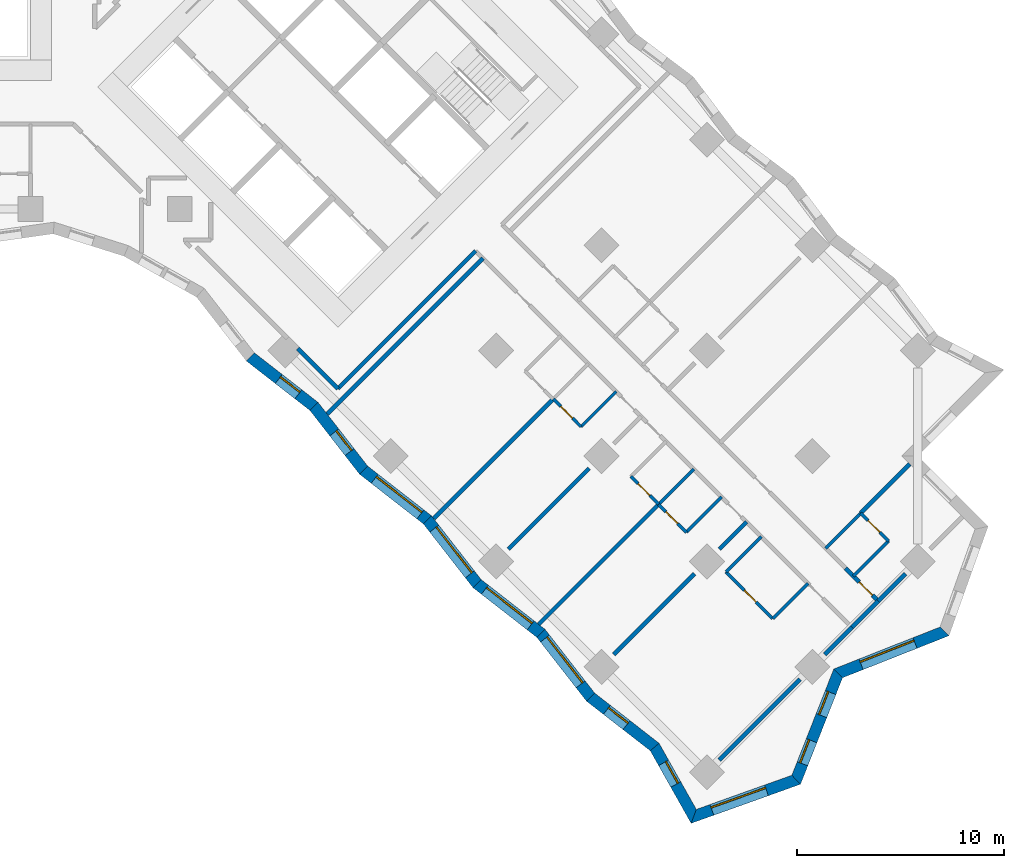
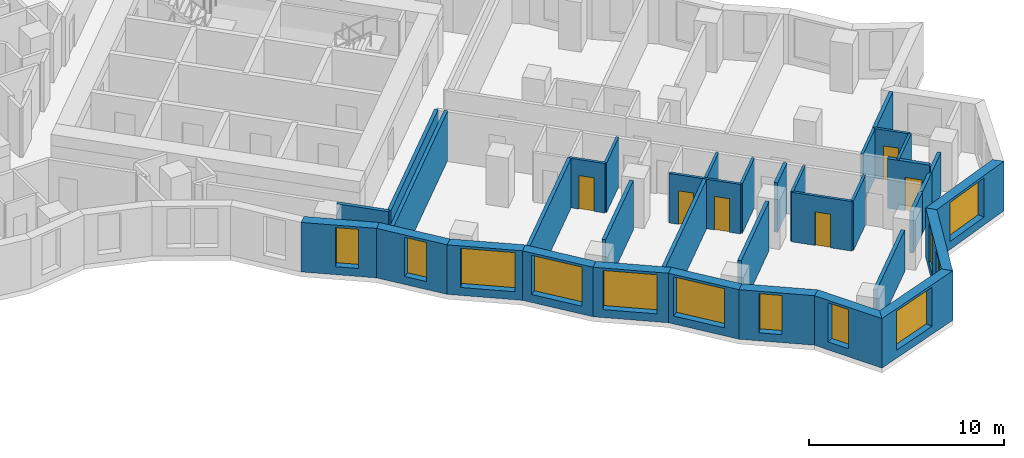
# One storey, part 7 of 12: 37 walls, 12 windows, 6 doors, 18 openings.
"""IFC4 building model written with IfcOpenShell, lengths in metres."""

from ifc_helpers import new_model, si_unit, direction, frame, frame_2d, origin, place, context, subcontext, project, spatial, polyline, rectangle, outline, extrude, material, layer, layer_set, type_object, element, fill, save


model = new_model("IFC4")

# Units and contexts
model_context = context("Model", 3, precision=1e-05, world=origin(), true_north=direction((0.0, 1.0)))
body_context = subcontext(model_context, "Body", "Model", "MODEL_VIEW")
ifc_project = project(units=[si_unit("LENGTHUNIT", "METRE"), si_unit("AREAUNIT", "SQUARE_METRE"), si_unit("VOLUMEUNIT", "CUBIC_METRE"), si_unit("PLANEANGLEUNIT", "RADIAN"), si_unit("MASSUNIT", "GRAM", prefix="KILO")], contexts=[model_context])

# Site, building, storey
site_placement = place(None, origin())
site = spatial("IfcSite", under=ifc_project, at=site_placement, CompositionType="ELEMENT")
building_placement = place(site_placement, origin())
building = spatial("IfcBuilding", under=site, at=building_placement, Name="Windrow Commons", CompositionType="ELEMENT")
storey_placement = place(building_placement, frame((0.0, 0.0, 47.4)))
storey = spatial("IfcBuildingStorey", under=building, at=storey_placement, Name="L12", CompositionType="ELEMENT", Elevation=47.4)

# Wall, opening, window
ifc_material_1 = material(Name="Brick masonry, red clay brick", Category="masonry")
ifc_layer_1 = layer(ifc_material_1, 0.55)
ifc_layer_set_1 = layer_set([ifc_layer_1], Name="Brick facade wall 550")
wall_type_1 = type_object("IfcWallType", Name="Brick facade wall 550", PredefinedType="SOLIDWALL", material=ifc_layer_set_1)
wall_1_placement = place(storey_placement, frame((104.0165, 13.872, 0.0), z_axis=(0.0, 0.0, 1.0), x_axis=(0.9416441087, 0.3366101194, 0.0)))
wall_1 = element("IfcWall", 1, at=wall_1_placement, inside=storey, type_object=wall_type_1, Name="Brick facade wall L12 1", PredefinedType="SOLIDWALL", context=body_context, shape_type="SweptSolid", body=[
    extrude(outline(polyline([(-0.2319, -0.275), (5.3779, -0.275), (5.1285, 0.275), (0.2319, 0.275), (-0.2319, -0.275)])), origin(), (0.0, 0.0, 1.0), 3.1),
])
opening_1_placement = place(wall_1_placement, frame((0.9311, 0.0, 0.5)))
opening_1 = element("IfcOpeningElement", 2, at=opening_1_placement, cuts=wall_1, Name="Opening W1T", PredefinedType="OPENING", context=body_context, shape_type="SweptSolid", body=[
    extrude(rectangle(XDim=2.8, YDim=2.45, at=frame_2d((1.4, 1.225))), frame((0.0, 0.285, 0.0), z_axis=(0.0, -1.0, 0.0), x_axis=(1.0, 0.0, 0.0)), (0.0, 0.0, 1.0), 0.57),
])
ifc_material_2 = material(Name="Clear float glass in anodised aluminium frame", Category="aluminium")
window_type_1 = type_object("IfcWindowType", Name="Window W1T bedroom 2800x2450", PartitioningType="SINGLE_PANEL", PredefinedType="WINDOW", material=ifc_material_2)
window_1_placement = place(opening_1_placement, origin())
window_1 = element("IfcWindow", 3, at=window_1_placement, inside=storey, type_object=window_type_1, Name="Window L12 1.1", OverallHeight=2.45, OverallWidth=2.8, PartitioningType="SINGLE_PANEL", PredefinedType="WINDOW", context=body_context, shape_type="SweptSolid", body=[
    extrude(rectangle(XDim=2.8, YDim=2.45, at=frame_2d((1.4, 1.225))), frame((0.0, 0.155, 0.0), z_axis=(0.0, -1.0, 0.0), x_axis=(1.0, 0.0, 0.0)), (0.0, 0.0, 1.0), 0.06),
])
fill(opening_1, window_1)

# Wall, openings, windows
wall_2_placement = place(storey_placement, frame((108.9632, 15.6403, 0.0), z_axis=(0.0, 0.0, 1.0), x_axis=(0.3672341559, 0.9301285259, 0.0)))
wall_2 = element("IfcWall", 4, at=wall_2_placement, inside=storey, type_object=wall_type_1, Name="Brick facade wall L12 2", PredefinedType="SOLIDWALL", context=body_context, shape_type="SweptSolid", body=[
    extrude(outline(polyline([(-0.1247, -0.275), (5.4025, -0.275), (5.6411, 0.275), (0.1247, 0.275), (-0.1247, -0.275)])), origin(), (0.0, 0.0, 1.0), 3.1),
])
opening_2_placement = place(wall_2_placement, frame((0.8308, 0.0, 0.5)))
opening_2 = element("IfcOpeningElement", 5, at=opening_2_placement, cuts=wall_2, Name="Opening W7D", PredefinedType="OPENING", context=body_context, shape_type="SweptSolid", body=[
    extrude(rectangle(XDim=1.2, YDim=2.45, at=frame_2d((0.6, 1.225))), frame((0.0, 0.285, 0.0), z_axis=(0.0, -1.0, 0.0), x_axis=(1.0, 0.0, 0.0)), (0.0, 0.0, 1.0), 0.57),
])
opening_3_placement = place(wall_2_placement, frame((3.3294, 0.0, 0.5)))
opening_3 = element("IfcOpeningElement", 6, at=opening_3_placement, cuts=wall_2, Name="Opening W7D", PredefinedType="OPENING", context=body_context, shape_type="SweptSolid", body=[
    extrude(rectangle(XDim=1.2, YDim=2.45, at=frame_2d((0.6, 1.225))), frame((0.0, 0.285, 0.0), z_axis=(0.0, -1.0, 0.0), x_axis=(1.0, 0.0, 0.0)), (0.0, 0.0, 1.0), 0.57),
])
ifc_material_3 = material(Name="Clear float glass in anodised aluminium frame", Category="aluminium")
window_type_2 = type_object("IfcWindowType", Name="Window W7 notch 1200x2450", PartitioningType="SINGLE_PANEL", PredefinedType="WINDOW", material=ifc_material_3)
window_2_placement = place(opening_2_placement, origin())
window_2 = element("IfcWindow", 7, at=window_2_placement, inside=storey, type_object=window_type_2, Name="Window L12 2.1", OverallHeight=2.45, OverallWidth=1.2, PartitioningType="SINGLE_PANEL", PredefinedType="WINDOW", context=body_context, shape_type="SweptSolid", body=[
    extrude(rectangle(XDim=1.2, YDim=2.45, at=frame_2d((0.6, 1.225))), frame((0.0, 0.155, 0.0), z_axis=(0.0, -1.0, 0.0), x_axis=(1.0, 0.0, 0.0)), (0.0, 0.0, 1.0), 0.06),
])
fill(opening_2, window_2)
window_3_placement = place(opening_3_placement, origin())
window_3 = element("IfcWindow", 8, at=window_3_placement, inside=storey, type_object=window_type_2, Name="Window L12 2.2", OverallHeight=2.45, OverallWidth=1.2, PartitioningType="SINGLE_PANEL", PredefinedType="WINDOW", context=body_context, shape_type="SweptSolid", body=[
    extrude(rectangle(XDim=1.2, YDim=2.45, at=frame_2d((0.6, 1.225))), frame((0.0, 0.155, 0.0), z_axis=(0.0, -1.0, 0.0), x_axis=(1.0, 0.0, 0.0)), (0.0, 0.0, 1.0), 0.06),
])
fill(opening_3, window_3)

# Wall, opening, window
wall_3_placement = place(storey_placement, frame((110.991, 20.7763, 0.0), z_axis=(0.0, 0.0, 1.0), x_axis=(0.9301285259, 0.3672341559, 0.0)))
wall_3 = element("IfcWall", 9, at=wall_3_placement, inside=storey, type_object=wall_type_1, Name="Brick facade wall L12 3", PredefinedType="SOLIDWALL", context=body_context, shape_type="SweptSolid", body=[
    extrude(outline(polyline([(0.1193, -0.275), (5.6465, -0.275), (5.3971, 0.275), (-0.1193, 0.275), (0.1193, -0.275)])), origin(), (0.0, 0.0, 1.0), 3.1),
])
opening_4_placement = place(wall_3_placement, frame((1.19, 0.0, 0.5)))
opening_4 = element("IfcOpeningElement", 10, at=opening_4_placement, cuts=wall_3, Name="Opening W1T", PredefinedType="OPENING", context=body_context, shape_type="SweptSolid", body=[
    extrude(rectangle(XDim=2.8, YDim=2.45, at=frame_2d((1.4, 1.225))), frame((0.0, 0.285, 0.0), z_axis=(0.0, -1.0, 0.0), x_axis=(1.0, 0.0, 0.0)), (0.0, 0.0, 1.0), 0.57),
])
window_4_placement = place(opening_4_placement, origin())
window_4 = element("IfcWindow", 11, at=window_4_placement, inside=storey, type_object=window_type_1, Name="Window L12 3.1", OverallHeight=2.45, OverallWidth=2.8, PartitioningType="SINGLE_PANEL", PredefinedType="WINDOW", context=body_context, shape_type="SweptSolid", body=[
    extrude(rectangle(XDim=2.8, YDim=2.45, at=frame_2d((1.4, 1.225))), frame((0.0, 0.155, 0.0), z_axis=(0.0, -1.0, 0.0), x_axis=(1.0, 0.0, 0.0)), (0.0, 0.0, 1.0), 0.06),
])
fill(opening_4, window_4)

wall_4_placement = place(storey_placement, frame((82.6045, 36.0616, 0.0), z_axis=(0.0, 0.0, 1.0), x_axis=(0.7890333801, -0.6143503276, 0.0)))
wall_4 = element("IfcWall", 12, at=wall_4_placement, inside=storey, type_object=wall_type_1, Name="Brick facade wall L12 56", PredefinedType="SOLIDWALL", context=body_context, shape_type="SweptSolid", body=[
    extrude(outline(polyline([(-0.0342, -0.275), (3.8682, -0.275), (3.9366, 0.275), (0.0342, 0.275), (-0.0342, -0.275)])), origin(), (0.0, 0.0, 1.0), 3.1),
])
opening_5_placement = place(wall_4_placement, frame((1.7452, 0.0, 0.5)))
opening_5 = element("IfcOpeningElement", 13, at=opening_5_placement, cuts=wall_4, Name="Opening W7D", PredefinedType="OPENING", context=body_context, shape_type="SweptSolid", body=[
    extrude(rectangle(XDim=1.2, YDim=2.45, at=frame_2d((0.6, 1.225))), frame((0.0, 0.285, 0.0), z_axis=(0.0, -1.0, 0.0), x_axis=(1.0, 0.0, 0.0)), (0.0, 0.0, 1.0), 0.57),
])
window_5_placement = place(opening_5_placement, origin())
window_5 = element("IfcWindow", 14, at=window_5_placement, inside=storey, type_object=window_type_2, Name="Window L12 56.1", OverallHeight=2.45, OverallWidth=1.2, PartitioningType="SINGLE_PANEL", PredefinedType="WINDOW", context=body_context, shape_type="SweptSolid", body=[
    extrude(rectangle(XDim=1.2, YDim=2.45, at=frame_2d((0.6, 1.225))), frame((0.0, 0.155, 0.0), z_axis=(0.0, -1.0, 0.0), x_axis=(1.0, 0.0, 0.0)), (0.0, 0.0, 1.0), 0.06),
])
fill(opening_5, window_5)

wall_5_placement = place(storey_placement, frame((85.6837, 33.6641, 0.0), z_axis=(0.0, 0.0, 1.0), x_axis=(0.6143467956, -0.7890361302, 0.0)))
wall_5 = element("IfcWall", 15, at=wall_5_placement, inside=storey, type_object=wall_type_1, Name="Brick facade wall L12 57", PredefinedType="SOLIDWALL", context=body_context, shape_type="SweptSolid", body=[
    extrude(outline(polyline([(0.0342, -0.275), (3.9366, -0.275), (3.8682, 0.275), (-0.0342, 0.275), (0.0342, -0.275)])), origin(), (0.0, 0.0, 1.0), 3.1),
])
opening_6_placement = place(wall_5_placement, frame((1.5907, 0.0, 0.5)))
opening_6 = element("IfcOpeningElement", 16, at=opening_6_placement, cuts=wall_5, Name="Opening W7D", PredefinedType="OPENING", context=body_context, shape_type="SweptSolid", body=[
    extrude(rectangle(XDim=1.2, YDim=2.45, at=frame_2d((0.6, 1.225))), frame((0.0, 0.285, 0.0), z_axis=(0.0, -1.0, 0.0), x_axis=(1.0, 0.0, 0.0)), (0.0, 0.0, 1.0), 0.57),
])
window_6_placement = place(opening_6_placement, origin())
window_6 = element("IfcWindow", 17, at=window_6_placement, inside=storey, type_object=window_type_2, Name="Window L12 57.1", OverallHeight=2.45, OverallWidth=1.2, PartitioningType="SINGLE_PANEL", PredefinedType="WINDOW", context=body_context, shape_type="SweptSolid", body=[
    extrude(rectangle(XDim=1.2, YDim=2.45, at=frame_2d((0.6, 1.225))), frame((0.0, 0.155, 0.0), z_axis=(0.0, -1.0, 0.0), x_axis=(1.0, 0.0, 0.0)), (0.0, 0.0, 1.0), 0.06),
])
fill(opening_6, window_6)

wall_6_placement = place(storey_placement, frame((88.0811, 30.585, 0.0), z_axis=(0.0, 0.0, 1.0), x_axis=(0.7890458015, -0.614334374, 0.0)))
wall_6 = element("IfcWall", 18, at=wall_6_placement, inside=storey, type_object=wall_type_1, Name="Brick facade wall L12 58", PredefinedType="SOLIDWALL", context=body_context, shape_type="SweptSolid", body=[
    extrude(outline(polyline([(-0.0342, -0.275), (3.8682, -0.275), (3.9366, 0.275), (0.0342, 0.275), (-0.0342, -0.275)])), origin(), (0.0, 0.0, 1.0), 3.1),
])
opening_7_placement = place(wall_6_placement, frame((0.6705, 0.0, 0.5)))
opening_7 = element("IfcOpeningElement", 19, at=opening_7_placement, cuts=wall_6, Name="Opening W1T", PredefinedType="OPENING", context=body_context, shape_type="SweptSolid", body=[
    extrude(rectangle(XDim=2.8, YDim=2.45, at=frame_2d((1.4, 1.225))), frame((0.0, 0.285, 0.0), z_axis=(0.0, -1.0, 0.0), x_axis=(1.0, 0.0, 0.0)), (0.0, 0.0, 1.0), 0.57),
])
window_7_placement = place(opening_7_placement, origin())
window_7 = element("IfcWindow", 20, at=window_7_placement, inside=storey, type_object=window_type_1, Name="Window L12 58.1", OverallHeight=2.45, OverallWidth=2.8, PartitioningType="SINGLE_PANEL", PredefinedType="WINDOW", context=body_context, shape_type="SweptSolid", body=[
    extrude(rectangle(XDim=2.8, YDim=2.45, at=frame_2d((1.4, 1.225))), frame((0.0, 0.155, 0.0), z_axis=(0.0, -1.0, 0.0), x_axis=(1.0, 0.0, 0.0)), (0.0, 0.0, 1.0), 0.06),
])
fill(opening_7, window_7)

wall_7_placement = place(storey_placement, frame((91.1603, 28.1876, 0.0), z_axis=(0.0, 0.0, 1.0), x_axis=(0.614334374, -0.7890458015, 0.0)))
wall_7 = element("IfcWall", 21, at=wall_7_placement, inside=storey, type_object=wall_type_1, Name="Brick facade wall L12 59", PredefinedType="SOLIDWALL", context=body_context, shape_type="SweptSolid", body=[
    extrude(outline(polyline([(0.0342, -0.275), (3.9366, -0.275), (3.8682, 0.275), (-0.0342, 0.275), (0.0342, -0.275)])), origin(), (0.0, 0.0, 1.0), 3.1),
])
opening_8_placement = place(wall_7_placement, frame((0.5341, 0.0, 0.5)))
opening_8 = element("IfcOpeningElement", 22, at=opening_8_placement, cuts=wall_7, Name="Opening W1T", PredefinedType="OPENING", context=body_context, shape_type="SweptSolid", body=[
    extrude(rectangle(XDim=2.8, YDim=2.45, at=frame_2d((1.4, 1.225))), frame((0.0, 0.285, 0.0), z_axis=(0.0, -1.0, 0.0), x_axis=(1.0, 0.0, 0.0)), (0.0, 0.0, 1.0), 0.57),
])
window_8_placement = place(opening_8_placement, origin())
window_8 = element("IfcWindow", 23, at=window_8_placement, inside=storey, type_object=window_type_1, Name="Window L12 59.1", OverallHeight=2.45, OverallWidth=2.8, PartitioningType="SINGLE_PANEL", PredefinedType="WINDOW", context=body_context, shape_type="SweptSolid", body=[
    extrude(rectangle(XDim=2.8, YDim=2.45, at=frame_2d((1.4, 1.225))), frame((0.0, 0.155, 0.0), z_axis=(0.0, -1.0, 0.0), x_axis=(1.0, 0.0, 0.0)), (0.0, 0.0, 1.0), 0.06),
])
fill(opening_8, window_8)

wall_8_placement = place(storey_placement, frame((93.5577, 25.1084, 0.0), z_axis=(0.0, 0.0, 1.0), x_axis=(0.7890458015, -0.614334374, 0.0)))
wall_8 = element("IfcWall", 24, at=wall_8_placement, inside=storey, type_object=wall_type_1, Name="Brick facade wall L12 60", PredefinedType="SOLIDWALL", context=body_context, shape_type="SweptSolid", body=[
    extrude(outline(polyline([(-0.0342, -0.275), (3.8682, -0.275), (3.9366, 0.275), (0.0342, 0.275), (-0.0342, -0.275)])), origin(), (0.0, 0.0, 1.0), 3.1),
])
opening_9_placement = place(wall_8_placement, frame((0.4757, 0.0, 0.5)))
opening_9 = element("IfcOpeningElement", 25, at=opening_9_placement, cuts=wall_8, Name="Opening W1T", PredefinedType="OPENING", context=body_context, shape_type="SweptSolid", body=[
    extrude(rectangle(XDim=2.8, YDim=2.45, at=frame_2d((1.4, 1.225))), frame((0.0, 0.285, 0.0), z_axis=(0.0, -1.0, 0.0), x_axis=(1.0, 0.0, 0.0)), (0.0, 0.0, 1.0), 0.57),
])
window_9_placement = place(opening_9_placement, origin())
window_9 = element("IfcWindow", 26, at=window_9_placement, inside=storey, type_object=window_type_1, Name="Window L12 60.1", OverallHeight=2.45, OverallWidth=2.8, PartitioningType="SINGLE_PANEL", PredefinedType="WINDOW", context=body_context, shape_type="SweptSolid", body=[
    extrude(rectangle(XDim=2.8, YDim=2.45, at=frame_2d((1.4, 1.225))), frame((0.0, 0.155, 0.0), z_axis=(0.0, -1.0, 0.0), x_axis=(1.0, 0.0, 0.0)), (0.0, 0.0, 1.0), 0.06),
])
fill(opening_9, window_9)

wall_9_placement = place(storey_placement, frame((96.6369, 22.711, 0.0), z_axis=(0.0, 0.0, 1.0), x_axis=(0.614334374, -0.7890458015, 0.0)))
wall_9 = element("IfcWall", 27, at=wall_9_placement, inside=storey, type_object=wall_type_1, Name="Brick facade wall L12 61", PredefinedType="SOLIDWALL", context=body_context, shape_type="SweptSolid", body=[
    extrude(outline(polyline([(0.0342, -0.275), (3.9366, -0.275), (3.8682, 0.275), (-0.0342, 0.275), (0.0342, -0.275)])), origin(), (0.0, 0.0, 1.0), 3.1),
])
opening_10_placement = place(wall_9_placement, frame((0.3212, 0.0, 0.5)))
opening_10 = element("IfcOpeningElement", 28, at=opening_10_placement, cuts=wall_9, Name="Opening W1T", PredefinedType="OPENING", context=body_context, shape_type="SweptSolid", body=[
    extrude(rectangle(XDim=2.8, YDim=2.45, at=frame_2d((1.4, 1.225))), frame((0.0, 0.285, 0.0), z_axis=(0.0, -1.0, 0.0), x_axis=(1.0, 0.0, 0.0)), (0.0, 0.0, 1.0), 0.57),
])
window_10_placement = place(opening_10_placement, origin())
window_10 = element("IfcWindow", 29, at=window_10_placement, inside=storey, type_object=window_type_1, Name="Window L12 61.1", OverallHeight=2.45, OverallWidth=2.8, PartitioningType="SINGLE_PANEL", PredefinedType="WINDOW", context=body_context, shape_type="SweptSolid", body=[
    extrude(rectangle(XDim=2.8, YDim=2.45, at=frame_2d((1.4, 1.225))), frame((0.0, 0.155, 0.0), z_axis=(0.0, -1.0, 0.0), x_axis=(1.0, 0.0, 0.0)), (0.0, 0.0, 1.0), 0.06),
])
fill(opening_10, window_10)

wall_10_placement = place(storey_placement, frame((99.0343, 19.6318, 0.0), z_axis=(0.0, 0.0, 1.0), x_axis=(0.7890391978, -0.6143428557, 0.0)))
wall_10 = element("IfcWall", 30, at=wall_10_placement, inside=storey, type_object=wall_type_1, Name="Brick facade wall L12 62", PredefinedType="SOLIDWALL", context=body_context, shape_type="SweptSolid", body=[
    extrude(outline(polyline([(-0.0342, -0.275), (3.8682, -0.275), (3.9786, 0.275), (0.0342, 0.275), (-0.0342, -0.275)])), origin(), (0.0, 0.0, 1.0), 3.1),
])
opening_11_placement = place(wall_10_placement, frame((1.001, 0.0, 0.5)))
opening_11 = element("IfcOpeningElement", 31, at=opening_11_placement, cuts=wall_10, Name="Opening W7D", PredefinedType="OPENING", context=body_context, shape_type="SweptSolid", body=[
    extrude(rectangle(XDim=1.2, YDim=2.45, at=frame_2d((0.6, 1.225))), frame((0.0, 0.285, 0.0), z_axis=(0.0, -1.0, 0.0), x_axis=(1.0, 0.0, 0.0)), (0.0, 0.0, 1.0), 0.57),
])
window_11_placement = place(opening_11_placement, origin())
window_11 = element("IfcWindow", 32, at=window_11_placement, inside=storey, type_object=window_type_2, Name="Window L12 62.1", OverallHeight=2.45, OverallWidth=1.2, PartitioningType="SINGLE_PANEL", PredefinedType="WINDOW", context=body_context, shape_type="SweptSolid", body=[
    extrude(rectangle(XDim=1.2, YDim=2.45, at=frame_2d((0.6, 1.225))), frame((0.0, 0.155, 0.0), z_axis=(0.0, -1.0, 0.0), x_axis=(1.0, 0.0, 0.0)), (0.0, 0.0, 1.0), 0.06),
])
fill(opening_11, window_11)

wall_11_placement = place(storey_placement, frame((102.13, 17.2215, 0.0), z_axis=(0.0, 0.0, 1.0), x_axis=(0.4907366579, -0.8713079436, 0.0)))
wall_11 = element("IfcWall", 33, at=wall_11_placement, inside=storey, type_object=wall_type_1, Name="Brick facade wall L12 63", PredefinedType="SOLIDWALL", context=body_context, shape_type="SweptSolid", body=[
    extrude(outline(polyline([(0.0552, -0.275), (4.0761, -0.275), (3.6123, 0.275), (-0.0552, 0.275), (0.0552, -0.275)])), origin(), (0.0, 0.0, 1.0), 3.1),
])
opening_12_placement = place(wall_11_placement, frame((0.8767, 0.0, 0.5)))
opening_12 = element("IfcOpeningElement", 34, at=opening_12_placement, cuts=wall_11, Name="Opening W7D", PredefinedType="OPENING", context=body_context, shape_type="SweptSolid", body=[
    extrude(rectangle(XDim=1.2, YDim=2.45, at=frame_2d((0.6, 1.225))), frame((0.0, 0.285, 0.0), z_axis=(0.0, -1.0, 0.0), x_axis=(1.0, 0.0, 0.0)), (0.0, 0.0, 1.0), 0.57),
])
window_12_placement = place(opening_12_placement, origin())
window_12 = element("IfcWindow", 35, at=window_12_placement, inside=storey, type_object=window_type_2, Name="Window L12 63.1", OverallHeight=2.45, OverallWidth=1.2, PartitioningType="SINGLE_PANEL", PredefinedType="WINDOW", context=body_context, shape_type="SweptSolid", body=[
    extrude(rectangle(XDim=1.2, YDim=2.45, at=frame_2d((0.6, 1.225))), frame((0.0, 0.155, 0.0), z_axis=(0.0, -1.0, 0.0), x_axis=(1.0, 0.0, 0.0)), (0.0, 0.0, 1.0), 0.06),
])
fill(opening_12, window_12)

# Walls
ifc_material_4 = material(Name="Blockwork partition", Category="masonry")
ifc_layer_2 = layer(ifc_material_4, 0.2)
ifc_layer_set_2 = layer_set([ifc_layer_2], Name="IW-CORRIDOR-200")
wall_type_2 = type_object("IfcWallType", Name="IW-CORRIDOR-200", PredefinedType="PARTITIONING", material=ifc_layer_set_2)
wall_12_placement = place(storey_placement, frame((86.8359, 34.5241, 0.0), z_axis=(0.0, 0.0, 1.0), x_axis=(0.7071067812, 0.7071067812, 0.0)))
element("IfcWall", 36, at=wall_12_placement, inside=storey, type_object=wall_type_2, Name="W-L12-W013", PredefinedType="PARTITIONING", context=body_context, shape_type="SweptSolid", body=[
    extrude(rectangle(XDim=9.3989, YDim=0.2, at=frame_2d((4.6994, 0.0))), origin(), (0.0, 0.0, 1.0), 3.1),
])
wall_13_placement = place(storey_placement, frame((84.8888, 36.4648, 0.0), z_axis=(0.0, 0.0, 1.0), x_axis=(0.7071067812, -0.7071067812, 0.0)))
element("IfcWall", 37, at=wall_13_placement, inside=storey, type_object=wall_type_2, Name="W-L12-W058", PredefinedType="PARTITIONING", context=body_context, shape_type="SweptSolid", body=[
    extrude(rectangle(XDim=2.7492, YDim=0.2, at=frame_2d((1.3746, 0.0))), origin(), (0.0, 0.0, 1.0), 3.1),
])

# Wall, opening, door
wall_14_placement = place(storey_placement, frame((112.9254, 24.2674, 0.0), z_axis=(0.0, 0.0, 1.0), x_axis=(-0.7068383786, 0.707375082, 0.0)))
wall_14 = element("IfcWall", 38, at=wall_14_placement, inside=storey, type_object=wall_type_2, Name="W-L12-W095", PredefinedType="PARTITIONING", context=body_context, shape_type="SweptSolid", body=[
    extrude(rectangle(XDim=2.2359, YDim=0.2, at=frame_2d((1.1179, 0.0))), origin(), (0.0, 0.0, 1.0), 3.1),
])
opening_13_placement = place(wall_14_placement, frame((0.3995, 0.0, 0.0)))
opening_13 = element("IfcOpeningElement", 39, at=opening_13_placement, cuts=wall_14, Name="Opening D109S", PredefinedType="OPENING", context=body_context, shape_type="SweptSolid", body=[
    extrude(rectangle(XDim=0.9, YDim=2.1, at=frame_2d((0.45, 1.05))), frame((0.0, 0.11, 0.0), z_axis=(0.0, -1.0, 0.0), x_axis=(1.0, 0.0, 0.0)), (0.0, 0.0, 1.0), 0.22),
])
ifc_material_5 = material(Name="Timber door leaf", Category="wood")
door_type_1 = type_object("IfcDoorType", Name="DT-BEDROOM-900", OperationType="SINGLE_SWING_LEFT", PredefinedType="DOOR", material=ifc_material_5)
door_1_placement = place(opening_13_placement, origin())
door_1 = element("IfcDoor", 40, at=door_1_placement, inside=storey, type_object=door_type_1, Name="D-L12-D048", OperationType="SINGLE_SWING_RIGHT", OverallHeight=2.1, OverallWidth=0.9, PredefinedType="DOOR", context=body_context, shape_type="SweptSolid", body=[
    extrude(rectangle(XDim=0.9, YDim=2.1, at=frame_2d((0.45, 1.05))), frame((0.0, 0.025, 0.0), z_axis=(0.0, -1.0, 0.0), x_axis=(1.0, 0.0, 0.0)), (0.0, 0.0, 1.0), 0.05),
])
fill(opening_13, door_1)

# Wall
wall_15_placement = place(storey_placement, frame((111.6555, 22.9985, 0.0), z_axis=(0.0, 0.0, 1.0), x_axis=(0.7071067812, 0.7071067812, 0.0)))
element("IfcWall", 41, at=wall_15_placement, inside=storey, type_object=wall_type_2, Name="W-L12-W130", PredefinedType="PARTITIONING", context=body_context, shape_type="SweptSolid", body=[
    extrude(rectangle(XDim=1.7989, YDim=0.2, at=frame_2d((0.8994, 0.0))), origin(), (0.0, 0.0, 1.0), 2.6),
])

# Wall, opening, door
ifc_material_6 = material(Name="Blockwork partition", Category="masonry")
ifc_layer_3 = layer(ifc_material_6, 0.15)
ifc_layer_set_3 = layer_set([ifc_layer_3], Name="IW-ENSUITE-150")
wall_type_3 = type_object("IfcWallType", Name="IW-ENSUITE-150", PredefinedType="PARTITIONING", material=ifc_layer_set_3)
wall_16_placement = place(storey_placement, frame((105.5726, 25.6806, 0.0), z_axis=(0.0, 0.0, 1.0), x_axis=(0.7071067812, -0.7071067812, 0.0)))
wall_16 = element("IfcWall", 42, at=wall_16_placement, inside=storey, type_object=wall_type_3, Name="W-L12-W054", PredefinedType="PARTITIONING", context=body_context, shape_type="SweptSolid", body=[
    extrude(rectangle(XDim=3.199, YDim=0.15, at=frame_2d((1.5995, 0.0))), origin(), (0.0, 0.0, 1.0), 3.1),
])
opening_14_placement = place(wall_16_placement, frame((1.2585, 0.0, 0.0)))
opening_14 = element("IfcOpeningElement", 43, at=opening_14_placement, cuts=wall_16, Name="Opening D208N", PredefinedType="OPENING", context=body_context, shape_type="SweptSolid", body=[
    extrude(rectangle(XDim=0.8, YDim=2.1, at=frame_2d((0.4, 1.05))), frame((0.0, 0.085, 0.0), z_axis=(0.0, -1.0, 0.0), x_axis=(1.0, 0.0, 0.0)), (0.0, 0.0, 1.0), 0.17),
])
ifc_material_7 = material(Name="Timber door leaf", Category="wood")
door_type_2 = type_object("IfcDoorType", Name="DT-ENSUITE-800", OperationType="SINGLE_SWING_LEFT", PredefinedType="DOOR", material=ifc_material_7)
door_2_placement = place(opening_14_placement, origin())
door_2 = element("IfcDoor", 44, at=door_2_placement, inside=storey, type_object=door_type_2, Name="D-L12-D047", OperationType="SINGLE_SWING_RIGHT", OverallHeight=2.1, OverallWidth=0.8, PredefinedType="DOOR", context=body_context, shape_type="SweptSolid", body=[
    extrude(rectangle(XDim=0.8, YDim=2.1, at=frame_2d((0.4, 1.05))), frame((0.0, 0.025, 0.0), z_axis=(0.0, -1.0, 0.0), x_axis=(1.0, 0.0, 0.0)), (0.0, 0.0, 1.0), 0.05),
])
fill(opening_14, door_2)

# Walls
for number, where, z_axis, x_axis, name in (
    (45, (111.7254, 25.4726, 0.0), (0.0, 0.0, 1.0), (0.7071067812, 0.7071067812, 0.0), "W-L12-W066"),
    (46, (98.5731, 32.6849, 0.0), (0.0, 0.0, 1.0), (0.7071067812, 0.7071067812, 0.0), "W-L12-W067"),
):
    element("IfcWall", number, at=place(storey_placement, frame(where, z_axis=z_axis, x_axis=x_axis)), inside=storey, type_object=wall_type_3, Name=name, PredefinedType="PARTITIONING", context=body_context, shape_type="SweptSolid", body=[
        extrude(rectangle(XDim=2.4013, YDim=0.15, at=frame_2d((1.2006, 0.0))), origin(), (0.0, 0.0, 1.0), 3.1),
    ])
wall_17_placement = place(storey_placement, frame((105.5782, 25.6818, 0.0), z_axis=(0.0, 0.0, 1.0), x_axis=(0.706689978, 0.7075233388, 0.0)))
element("IfcWall", 47, at=wall_17_placement, inside=storey, type_object=wall_type_3, Name="W-L12-W084", PredefinedType="PARTITIONING", context=body_context, shape_type="SweptSolid", body=[
    extrude(rectangle(XDim=2.3999, YDim=0.15, at=frame_2d((1.2, 0.0))), origin(), (0.0, 0.0, 1.0), 3.1),
])
for number, where, z_axis, x_axis, name in (
    (48, (110.3829, 26.8171, 0.0), (0.0, 0.0, 1.0), (0.7071067812, 0.7071067812, 0.0), "W-L12-W088"),
    (49, (102.3228, 28.9392, 0.0), (0.0, 0.0, 1.0), (0.7071067812, 0.7071067812, 0.0), "W-L12-W091"),
    (50, (103.6653, 27.5947, 0.0), (0.0, 0.0, 1.0), (0.7071067812, 0.7071067812, 0.0), "W-L12-W092"),
    (51, (107.8372, 23.4228, 0.0), (0.0, 0.0, 1.0), (0.7071067812, 0.7071067812, 0.0), "W-L12-W093"),
):
    element("IfcWall", number, at=place(storey_placement, frame(where, z_axis=z_axis, x_axis=x_axis)), inside=storey, type_object=wall_type_3, Name=name, PredefinedType="PARTITIONING", context=body_context, shape_type="SweptSolid", body=[
        extrude(rectangle(XDim=2.3985, YDim=0.15, at=frame_2d((1.1992, 0.0))), origin(), (0.0, 0.0, 1.0), 3.1),
    ])

# Wall, opening, door
wall_18_placement = place(storey_placement, frame((100.9807, 30.2827, 0.0), z_axis=(0.0, 0.0, 1.0), x_axis=(0.7076330979, -0.7065800724, 0.0)))
wall_18 = element("IfcWall", 52, at=wall_18_placement, inside=storey, type_object=wall_type_3, Name="W-L12-W116", PredefinedType="PARTITIONING", context=body_context, shape_type="SweptSolid", body=[
    extrude(rectangle(XDim=1.8993, YDim=0.15, at=frame_2d((0.9496, 0.0))), origin(), (0.0, 0.0, 1.0), 3.1),
])
opening_15_placement = place(wall_18_placement, frame((0.4932, 0.0, 0.0)))
opening_15 = element("IfcOpeningElement", 53, at=opening_15_placement, cuts=wall_18, Name="Opening D208N", PredefinedType="OPENING", context=body_context, shape_type="SweptSolid", body=[
    extrude(rectangle(XDim=0.8, YDim=2.1, at=frame_2d((0.4, 1.05))), frame((0.0, 0.085, 0.0), z_axis=(0.0, -1.0, 0.0), x_axis=(1.0, 0.0, 0.0)), (0.0, 0.0, 1.0), 0.17),
])
door_3_placement = place(opening_15_placement, origin())
door_3 = element("IfcDoor", 54, at=door_3_placement, inside=storey, type_object=door_type_2, Name="D-L12-D043", OperationType="SINGLE_SWING_RIGHT", OverallHeight=2.1, OverallWidth=0.8, PredefinedType="DOOR", context=body_context, shape_type="SweptSolid", body=[
    extrude(rectangle(XDim=0.8, YDim=2.1, at=frame_2d((0.4, 1.05))), frame((0.0, 0.025, 0.0), z_axis=(0.0, -1.0, 0.0), x_axis=(1.0, 0.0, 0.0)), (0.0, 0.0, 1.0), 0.05),
])
fill(opening_15, door_3)

wall_19_placement = place(storey_placement, frame((97.2334, 34.0294, 0.0), z_axis=(0.0, 0.0, 1.0), x_axis=(0.7065800724, -0.7076330979, 0.0)))
wall_19 = element("IfcWall", 55, at=wall_19_placement, inside=storey, type_object=wall_type_3, Name="W-L12-W117", PredefinedType="PARTITIONING", context=body_context, shape_type="SweptSolid", body=[
    extrude(rectangle(XDim=1.8993, YDim=0.15, at=frame_2d((0.9496, 0.0))), origin(), (0.0, 0.0, 1.0), 3.1),
])
opening_16_placement = place(wall_19_placement, frame((0.5153, 0.0, 0.0)))
opening_16 = element("IfcOpeningElement", 56, at=opening_16_placement, cuts=wall_19, Name="Opening D208N", PredefinedType="OPENING", context=body_context, shape_type="SweptSolid", body=[
    extrude(rectangle(XDim=0.8, YDim=2.1, at=frame_2d((0.4, 1.05))), frame((0.0, 0.085, 0.0), z_axis=(0.0, -1.0, 0.0), x_axis=(1.0, 0.0, 0.0)), (0.0, 0.0, 1.0), 0.17),
])
door_4_placement = place(opening_16_placement, origin())
door_4 = element("IfcDoor", 57, at=door_4_placement, inside=storey, type_object=door_type_2, Name="D-L12-D041", OperationType="SINGLE_SWING_RIGHT", OverallHeight=2.1, OverallWidth=0.8, PredefinedType="DOOR", context=body_context, shape_type="SweptSolid", body=[
    extrude(rectangle(XDim=0.8, YDim=2.1, at=frame_2d((0.4, 1.05))), frame((0.0, 0.025, 0.0), z_axis=(0.0, -1.0, 0.0), x_axis=(1.0, 0.0, 0.0)), (0.0, 0.0, 1.0), 0.05),
])
fill(opening_16, door_4)

wall_20_placement = place(storey_placement, frame((102.3206, 28.9346, 0.0), z_axis=(0.0, 0.0, 1.0), x_axis=(0.7065800724, -0.7076330979, 0.0)))
wall_20 = element("IfcWall", 58, at=wall_20_placement, inside=storey, type_object=wall_type_3, Name="W-L12-W118", PredefinedType="PARTITIONING", context=body_context, shape_type="SweptSolid", body=[
    extrude(rectangle(XDim=1.8993, YDim=0.15, at=frame_2d((0.9496, 0.0))), origin(), (0.0, 0.0, 1.0), 3.1),
])
opening_17_placement = place(wall_20_placement, frame((0.5015, 0.0, 0.0)))
opening_17 = element("IfcOpeningElement", 59, at=opening_17_placement, cuts=wall_20, Name="Opening D208N", PredefinedType="OPENING", context=body_context, shape_type="SweptSolid", body=[
    extrude(rectangle(XDim=0.8, YDim=2.1, at=frame_2d((0.4, 1.05))), frame((0.0, 0.085, 0.0), z_axis=(0.0, -1.0, 0.0), x_axis=(1.0, 0.0, 0.0)), (0.0, 0.0, 1.0), 0.17),
])
door_5_placement = place(opening_17_placement, origin())
door_5 = element("IfcDoor", 60, at=door_5_placement, inside=storey, type_object=door_type_2, Name="D-L12-D045", OperationType="SINGLE_SWING_RIGHT", OverallHeight=2.1, OverallWidth=0.8, PredefinedType="DOOR", context=body_context, shape_type="SweptSolid", body=[
    extrude(rectangle(XDim=0.8, YDim=2.1, at=frame_2d((0.4, 1.05))), frame((0.0, 0.025, 0.0), z_axis=(0.0, -1.0, 0.0), x_axis=(1.0, 0.0, 0.0)), (0.0, 0.0, 1.0), 0.05),
])
fill(opening_17, door_5)

wall_21_placement = place(storey_placement, frame((112.0803, 28.5123, 0.0), z_axis=(0.0, 0.0, 1.0), x_axis=(0.7076330979, -0.7065800724, 0.0)))
wall_21 = element("IfcWall", 61, at=wall_21_placement, inside=storey, type_object=wall_type_3, Name="W-L12-W119", PredefinedType="PARTITIONING", context=body_context, shape_type="SweptSolid", body=[
    extrude(rectangle(XDim=1.8993, YDim=0.15, at=frame_2d((0.9496, 0.0))), origin(), (0.0, 0.0, 1.0), 3.1),
])
opening_18_placement = place(wall_21_placement, frame((0.5046, 0.0, 0.0)))
opening_18 = element("IfcOpeningElement", 62, at=opening_18_placement, cuts=wall_21, Name="Opening D208N", PredefinedType="OPENING", context=body_context, shape_type="SweptSolid", body=[
    extrude(rectangle(XDim=0.8, YDim=2.1, at=frame_2d((0.4, 1.05))), frame((0.0, 0.085, 0.0), z_axis=(0.0, -1.0, 0.0), x_axis=(1.0, 0.0, 0.0)), (0.0, 0.0, 1.0), 0.17),
])
door_6_placement = place(opening_18_placement, origin())
door_6 = element("IfcDoor", 63, at=door_6_placement, inside=storey, type_object=door_type_2, Name="D-L12-D049", OperationType="SINGLE_SWING_RIGHT", OverallHeight=2.1, OverallWidth=0.8, PredefinedType="DOOR", context=body_context, shape_type="SweptSolid", body=[
    extrude(rectangle(XDim=0.8, YDim=2.1, at=frame_2d((0.4, 1.05))), frame((0.0, 0.025, 0.0), z_axis=(0.0, -1.0, 0.0), x_axis=(1.0, 0.0, 0.0)), (0.0, 0.0, 1.0), 0.05),
])
fill(opening_18, door_6)

# Walls
ifc_material_8 = material(Name="Blockwork partition", Category="masonry")
ifc_layer_4 = layer(ifc_material_8, 0.2)
ifc_layer_set_4 = layer_set([ifc_layer_4], Name="IW-PARTY-200")
wall_type_4 = type_object("IfcWallType", Name="IW-PARTY-200", PredefinedType="PARTITIONING", material=ifc_layer_set_4)
wall_22_placement = place(storey_placement, frame((86.3171, 33.2982, 0.0), z_axis=(0.0, 0.0, 1.0), x_axis=(0.7071020793, 0.7071114831, 0.0)))
element("IfcWall", 64, at=wall_22_placement, inside=storey, type_object=wall_type_4, Name="W-L12-W010", PredefinedType="PARTITIONING", context=body_context, shape_type="SweptSolid", body=[
    extrude(rectangle(XDim=10.634, YDim=0.2, at=frame_2d((5.317, 0.0))), origin(), (0.0, 0.0, 1.0), 3.1),
])
wall_23_placement = place(storey_placement, frame((96.5279, 23.1443, 0.0), z_axis=(0.0, 0.0, 1.0), x_axis=(0.7071067812, 0.7071067812, 0.0)))
element("IfcWall", 65, at=wall_23_placement, inside=storey, type_object=wall_type_4, Name="W-L12-W020", PredefinedType="PARTITIONING", context=body_context, shape_type="SweptSolid", body=[
    extrude(rectangle(XDim=8.1952, YDim=0.2, at=frame_2d((4.0976, 0.0))), origin(), (0.0, 0.0, 1.0), 3.1),
])
wall_24_placement = place(storey_placement, frame((91.4592, 28.2512, 0.0), z_axis=(0.0, 0.0, 1.0), x_axis=(0.7072292176, 0.7069843236, 0.0)))
element("IfcWall", 66, at=wall_24_placement, inside=storey, type_object=wall_type_4, Name="W-L12-W021", PredefinedType="PARTITIONING", context=body_context, shape_type="SweptSolid", body=[
    extrude(rectangle(XDim=8.1668, YDim=0.2, at=frame_2d((4.0834, 0.0))), origin(), (0.0, 0.0, 1.0), 3.1),
])
wall_25_placement = place(storey_placement, frame((100.1624, 21.6876, 0.0), z_axis=(0.0, 0.0, 1.0), x_axis=(0.7071067812, 0.7071067812, 0.0)))
element("IfcWall", 67, at=wall_25_placement, inside=storey, type_object=wall_type_4, Name="W-L12-W035", PredefinedType="PARTITIONING", context=body_context, shape_type="SweptSolid", body=[
    extrude(rectangle(XDim=5.5069, YDim=0.2, at=frame_2d((2.7534, 0.0))), origin(), (0.0, 0.0, 1.0), 3.1),
])
wall_26_placement = place(storey_placement, frame((105.2555, 16.5985, 0.0), z_axis=(0.0, 0.0, 1.0), x_axis=(0.7071067812, 0.7071067812, 0.0)))
element("IfcWall", 68, at=wall_26_placement, inside=storey, type_object=wall_type_4, Name="W-L12-W036", PredefinedType="PARTITIONING", context=body_context, shape_type="SweptSolid", body=[
    extrude(rectangle(XDim=5.5041, YDim=0.2, at=frame_2d((2.7521, 0.0))), origin(), (0.0, 0.0, 1.0), 2.6),
])
wall_27_placement = place(storey_placement, frame((95.0732, 26.7808, 0.0), z_axis=(0.0, 0.0, 1.0), x_axis=(0.7071067812, 0.7071067812, 0.0)))
element("IfcWall", 69, at=wall_27_placement, inside=storey, type_object=wall_type_4, Name="W-L12-W038", PredefinedType="PARTITIONING", context=body_context, shape_type="SweptSolid", body=[
    extrude(rectangle(XDim=5.5013, YDim=0.2, at=frame_2d((2.7506, 0.0))), origin(), (0.0, 0.0, 1.0), 3.1),
])
wall_28_placement = place(storey_placement, frame((112.0789, 28.5131, 0.0), z_axis=(0.0, 0.0, 1.0), x_axis=(0.7071067812, 0.7071067812, 0.0)))
element("IfcWall", 70, at=wall_28_placement, inside=storey, type_object=wall_type_4, Name="W-L12-W053", PredefinedType="PARTITIONING", context=body_context, shape_type="SweptSolid", body=[
    extrude(rectangle(XDim=3.351, YDim=0.2, at=frame_2d((1.6755, 0.0))), origin(), (0.0, 0.0, 1.0), 3.1),
])
for number, where, z_axis, x_axis, name in (
    (71, (110.3455, 21.6885, 0.0), (0.0, 0.0, 1.0), (0.7071067812, 0.7071067812, 0.0), "W-L12-W120"),
    (72, (112.9275, 24.2705, 0.0), (0.0, 0.0, 1.0), (0.7071067812, 0.7071067812, 0.0), "W-L12-W122"),
):
    element("IfcWall", number, at=place(storey_placement, frame(where, z_axis=z_axis, x_axis=x_axis)), inside=storey, type_object=wall_type_4, Name=name, PredefinedType="PARTITIONING", context=body_context, shape_type="SweptSolid", body=[
        extrude(rectangle(XDim=1.8526, YDim=0.2, at=frame_2d((0.9263, 0.0))), origin(), (0.0, 0.0, 1.0), 2.6),
    ])
wall_29_placement = place(storey_placement, frame((105.2563, 26.7797, 0.0), z_axis=(0.0, 0.0, 1.0), x_axis=(0.7076467632, 0.7065663865, 0.0)))
element("IfcWall", 73, at=wall_29_placement, inside=storey, type_object=wall_type_4, Name="W-L12-W123", PredefinedType="PARTITIONING", context=body_context, shape_type="SweptSolid", body=[
    extrude(rectangle(XDim=1.8512, YDim=0.2, at=frame_2d((0.9256, 0.0))), origin(), (0.0, 0.0, 1.0), 3.1),
])

save(model, "model.ifc")
